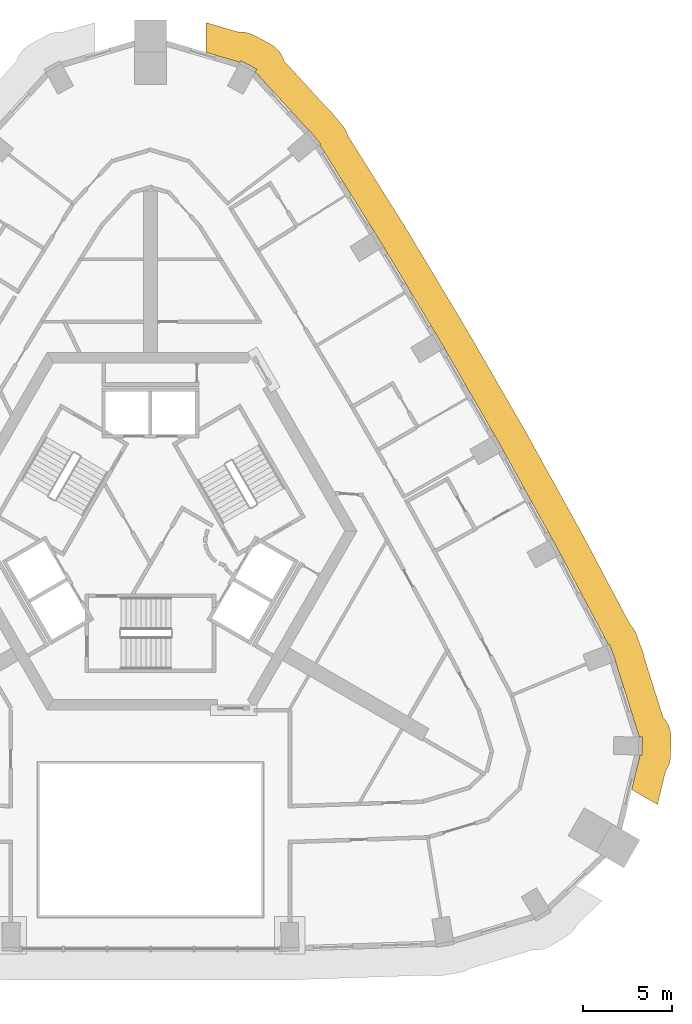
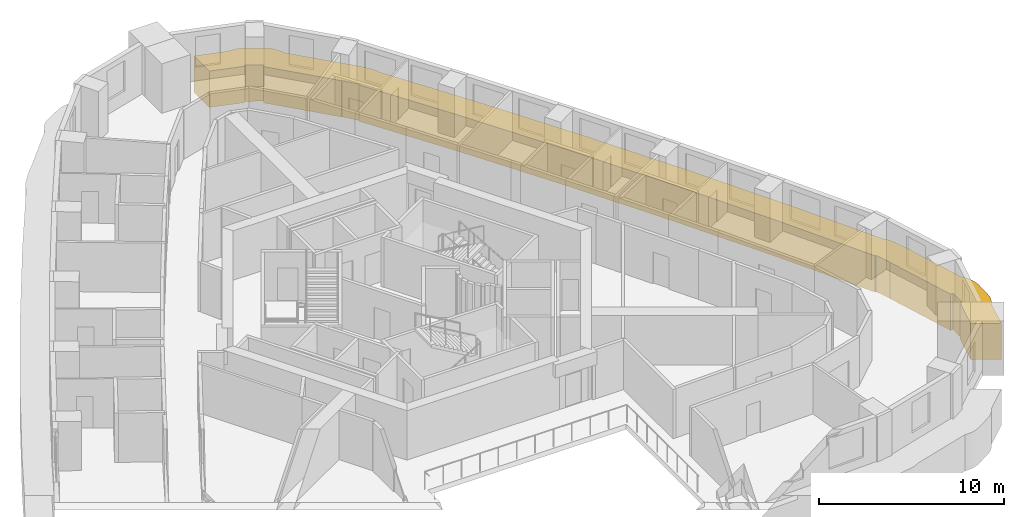
# One storey, part 13 of 13: 1 covering.
"""IFC4 building model written with IfcOpenShell, lengths in metres."""

from ifc_helpers import new_model, si_unit, direction, frame, origin, place, context, subcontext, project, spatial, polyline, outline, extrude, material, type_object, element, save


model = new_model("IFC4")

# Units and contexts
model_context = context("Model", 3, precision=1e-05, world=origin(), true_north=direction((0.0, 1.0)))
body_context = subcontext(model_context, "Body", "Model", "MODEL_VIEW")
ifc_project = project(units=[si_unit("LENGTHUNIT", "METRE"), si_unit("AREAUNIT", "SQUARE_METRE"), si_unit("VOLUMEUNIT", "CUBIC_METRE"), si_unit("PLANEANGLEUNIT", "RADIAN"), si_unit("MASSUNIT", "GRAM", prefix="KILO")], contexts=[model_context])

# Site, building, storey
site_placement = place(None, origin())
site = spatial("IfcSite", under=ifc_project, at=site_placement, CompositionType="ELEMENT")
building_placement = place(site_placement, origin())
building = spatial("IfcBuilding", under=site, at=building_placement, Name="Entoto Arch Interchange Tower", CompositionType="ELEMENT")
storey_placement = place(building_placement, frame((0.0, 0.0, 266.60009765625)))
storey = spatial("IfcBuildingStorey", under=building, at=storey_placement, Name="L61", CompositionType="ELEMENT", Elevation=266.60009765625)

# Covering
ifc_material = material(Name="Board-marked precast concrete C50/60", Category="concrete")
covering_type = type_object("IfcCoveringType", Name="PRECAST FRAME COURSE", PredefinedType="CLADDING", material=ifc_material)
covering_placement = place(storey_placement, frame((0.0, 0.0, -2.10009765625)))
element("IfcCovering", 1, at=covering_placement, inside=storey, type_object=covering_type, Name="Slab edge fin L61", PredefinedType="CLADDING", context=body_context, shape_type="SweptSolid", body=[
    extrude(outline(polyline([(5.386962890625, 30.360107421875), (5.5390625, 30.321044921875), (5.68701171875, 30.26611328125), (5.827880859375, 30.197998046875), (6.7060546875, 29.719970703125), (6.840087890625, 29.637939453125), (6.966064453125, 29.5439453125), (7.0810546875, 29.43701171875), (7.18603515625, 29.320068359375), (7.278076171875, 29.193115234375), (7.35791015625, 29.05810546875), (7.424072265625, 28.9150390625), (7.47607421875, 28.76708984375), (7.47607421875, 28.76708984375), (9.85400390625, 26.16796875), (9.8798828125, 26.14794921875), (9.9970703125, 26.0439453125), (10.10400390625, 25.927978515625), (10.741943359375, 25.157958984375), (10.8369140625, 25.032958984375), (10.91796875, 24.89892578125), (10.986083984375, 24.757080078125), (11.0400390625, 24.610107421875), (11.050048828125, 24.569091796875), (13.820068359375, 20.152099609375), (13.863037109375, 20.087890625), (14.388916015625, 19.238037109375), (14.39990234375, 19.219970703125), (17.2451171875, 14.47802734375), (17.297119140625, 14.39892578125), (17.805908203125, 13.5380859375), (17.81494140625, 13.52294921875), (20.56201171875, 8.75390625), (20.6279296875, 8.65087890625), (21.118896484375, 7.780029296875), (21.1259765625, 7.76708984375), (23.77587890625, 2.971923828125), (23.85400390625, 2.843017578125), (24.327880859375, 1.9619140625), (24.3330078125, 1.951904296875), (26.802978515625, -2.714111328125), (26.8330078125, -2.742919921875), (26.93408203125, -2.863037109375), (27.02197265625, -2.992919921875), (27.097900390625, -3.131103515625), (27.158935546875, -3.27490234375), (27.506103515625, -4.212890625), (27.552978515625, -4.363037109375), (27.5859375, -4.51611328125), (27.589111328125, -4.549072265625), (28.64990234375, -7.907958984375), (28.65087890625, -7.907958984375), (28.7529296875, -8.027099609375), (28.843017578125, -8.156005859375), (28.9208984375, -8.2919921875), (28.98388671875, -8.43603515625), (29.033935546875, -8.5849609375), (29.068115234375, -8.738037109375), (29.0869140625, -8.89404296875), (29.091064453125, -9.051025390625), (29.06591796875, -10.051025390625), (29.053955078125, -10.20703125), (29.028076171875, -10.362060546875), (28.986083984375, -10.512939453125), (28.928955078125, -10.659912109375), (28.85791015625, -10.800048828125), (28.783935546875, -10.91796875), (28.3330078125, -12.77294921875), (26.888916015625, -11.93994140625), (27.35791015625, -10.008056640625), (27.467041015625, -10.010986328125), (27.47900390625, -9.510986328125), (27.490966796875, -9.010986328125), (27.320068359375, -9.007080078125), (25.98291015625, -4.77587890625), (26.0048828125, -4.76806640625), (25.83203125, -4.299072265625), (25.658935546875, -3.830078125), (25.595947265625, -3.85302734375), (22.916015625, 1.201904296875), (22.9189453125, 1.2041015625), (22.445068359375, 2.083984375), (22.43994140625, 2.0810546875), (19.721923828125, 6.991943359375), (19.72607421875, 6.993896484375), (19.47998046875, 7.428955078125), (19.23388671875, 7.864013671875), (19.22998046875, 7.862060546875), (16.424072265625, 12.721923828125), (16.427978515625, 12.72412109375), (15.919921875, 13.5859375), (15.916015625, 13.5830078125), (13.02294921875, 18.39404296875), (13.028076171875, 18.39697265625), (12.764892578125, 18.822021484375), (12.501953125, 19.2470703125), (12.4990234375, 19.24609375), (9.4599609375, 24.093994140625), (9.510986328125, 24.135986328125), (9.19189453125, 24.52099609375), (8.873046875, 24.906005859375), (8.85400390625, 24.889892578125), (5.85888671875, 28.1640625), (5.94091796875, 28.31494140625), (5.501953125, 28.553955078125), (5.06298828125, 28.79296875), (5.010986328125, 28.697998046875), (3.10498046875, 29.257080078125), (3.10498046875, 30.924072265625), (4.93603515625, 30.386962890625), (5.075927734375, 30.39306640625), (5.23193359375, 30.384033203125), (5.386962890625, 30.360107421875)])), origin(), (0.0, 0.0, 1.0), 2.39990234375),
])

save(model, "model.ifc")
